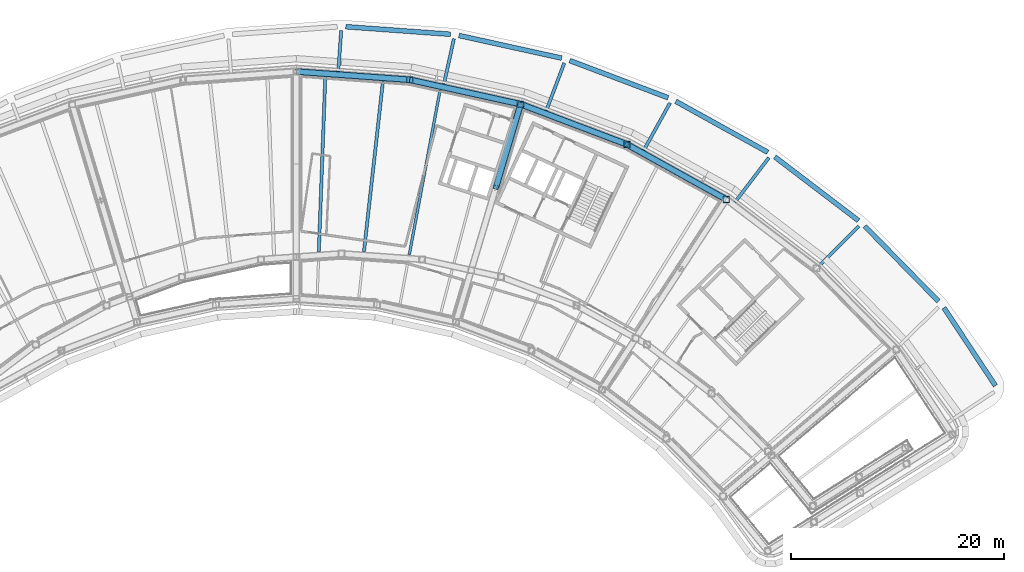
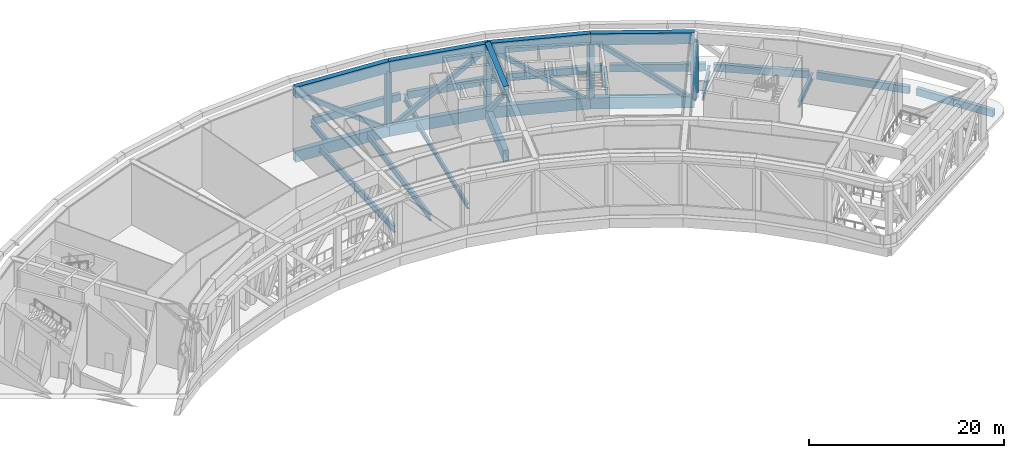
# One storey, part 5 of 24: 26 beams, 9 members.
"""IFC4 building model written with IfcOpenShell, lengths in metres."""

from ifc_helpers import new_model, si_unit, direction, frame, origin, origin_2d, place, context, subcontext, project, spatial, hollow_rectangle, i_section, extrude, material, material_profile, profile_set, type_object, element, save


model = new_model("IFC4")

# Units and contexts
model_context = context("Model", 3, precision=1e-05, world=origin(), true_north=direction((0.0, 1.0)))
body_context = subcontext(model_context, "Body", "Model", "MODEL_VIEW")
ifc_project = project(units=[si_unit("LENGTHUNIT", "METRE"), si_unit("AREAUNIT", "SQUARE_METRE"), si_unit("VOLUMEUNIT", "CUBIC_METRE"), si_unit("PLANEANGLEUNIT", "RADIAN"), si_unit("MASSUNIT", "GRAM", prefix="KILO")], contexts=[model_context])

# Site, building, storey
site_placement = place(None, origin())
site = spatial("IfcSite", under=ifc_project, at=site_placement, CompositionType="ELEMENT")
building_placement = place(site_placement, origin())
building = spatial("IfcBuilding", under=site, at=building_placement, Name="Tuul Gate Civic Tower", CompositionType="ELEMENT")
storey_placement = place(building_placement, frame((0.0, 0.0, 277.800048828125)))
storey = spatial("IfcBuildingStorey", under=building, at=storey_placement, Name="Wind floor 2", CompositionType="ELEMENT", Elevation=277.800048828125)

# Beams
ifc_material_1 = material(Name="Steel S355", Category="steel")
ifc_material_profile_1 = material_profile(ifc_material_1, i_section(OverallWidth=0.25, OverallDepth=0.64990234375, WebThickness=0.011962890625, FlangeThickness=0.02001953125, at=origin_2d()), Name="PG650x250x12x20")
ifc_profile_set_1 = profile_set([ifc_material_profile_1], Name="Steel S355")
beam_type_1 = type_object("IfcBeamType", Name="STR-FLOOR BEAM-PG650x250x12x20", PredefinedType="BEAM", material=ifc_profile_set_1)
beam_1_placement = place(storey_placement, frame((17.39599609375, -7.99169921875, -0.72509765625), z_axis=(0.183961541969, 0.982933441834, 0.0), x_axis=(-0.982933441834, 0.183961541969, 0.0)))
element("IfcBeam", 1, at=beam_1_placement, inside=storey, type_object=beam_type_1, Name="Floor beam", PredefinedType="BEAM", context=body_context, shape_type="SweptSolid", body=[
    extrude(i_section(OverallWidth=0.25, OverallDepth=0.64990234375, WebThickness=0.011962890625, FlangeThickness=0.02001953125, at=origin_2d()), origin(), (0.0, 0.0, 1.0), 15.733154296875),
])
ifc_material_2 = material(Name="Steel S355", Category="steel")
ifc_material_profile_2 = material_profile(ifc_material_2, i_section(OverallWidth=0.300048828125, OverallDepth=0.800048828125, WebThickness=0.013916015625, FlangeThickness=0.02490234375, at=origin_2d()), Name="PG800x300x14x25")
ifc_profile_set_2 = profile_set([ifc_material_profile_2], Name="Steel S355")
beam_type_2 = type_object("IfcBeamType", Name="STR-FLOOR BEAM-PG800x300x14x25", PredefinedType="BEAM", material=ifc_profile_set_2)
beam_2_placement = place(storey_placement, frame((13.140380859375, -7.683837890625, -0.800048828125), z_axis=(0.110783257316, 0.993844590416, 0.0), x_axis=(-0.993844590416, 0.110783257316, 0.0)))
element("IfcBeam", 2, at=beam_2_placement, inside=storey, type_object=beam_type_2, Name="Floor beam", PredefinedType="BEAM", context=body_context, shape_type="SweptSolid", body=[
    extrude(i_section(OverallWidth=0.300048828125, OverallDepth=0.800048828125, WebThickness=0.013916015625, FlangeThickness=0.02490234375, at=origin_2d()), origin(), (0.0, 0.0, 1.0), 16.07421875),
])
beam_3_placement = place(storey_placement, frame((8.897705078125, -7.685546875, -0.800048828125), z_axis=(0.036991264736, 0.999315588957, 0.0), x_axis=(-0.999315588957, 0.036991264736, 0.0)))
element("IfcBeam", 3, at=beam_3_placement, inside=storey, type_object=beam_type_2, Name="Floor beam", PredefinedType="BEAM", context=body_context, shape_type="SweptSolid", body=[
    extrude(i_section(OverallWidth=0.300048828125, OverallDepth=0.800048828125, WebThickness=0.013916015625, FlangeThickness=0.02490234375, at=origin_2d()), origin(), (0.0, 0.0, 1.0), 16.381103515625),
])
beam_4_placement = place(storey_placement, frame((59.645263671875, -5.2998046875, -0.800048828125), z_axis=(-0.707106781187, -0.707106781187, 0.0), x_axis=(0.707106781187, -0.707106781187, 0.0)))
element("IfcBeam", 4, at=beam_4_placement, inside=storey, type_object=beam_type_2, Name="Terrace beam", PredefinedType="BEAM", context=body_context, shape_type="SweptSolid", body=[
    extrude(i_section(OverallWidth=0.300048828125, OverallDepth=0.800048828125, WebThickness=0.013916015625, FlangeThickness=0.02490234375, at=origin_2d()), origin(), (0.0, 0.0, 1.0), 5.299072265625),
])
beam_5_placement = place(storey_placement, frame((51.190673828125, 1.1337890625, -0.800048828125), z_axis=(-0.605785168094, -0.795628261261, 0.0), x_axis=(0.795628261261, -0.605785168094, 0.0)))
element("IfcBeam", 5, at=beam_5_placement, inside=storey, type_object=beam_type_2, Name="Terrace beam", PredefinedType="BEAM", context=body_context, shape_type="SweptSolid", body=[
    extrude(i_section(OverallWidth=0.300048828125, OverallDepth=0.800048828125, WebThickness=0.013916015625, FlangeThickness=0.02490234375, at=origin_2d()), origin(), (0.0, 0.0, 1.0), 5.24560546875),
])
beam_6_placement = place(storey_placement, frame((41.901123046875, 6.278076171875, -0.800048828125), z_axis=(-0.484771474012, -0.874640850855, 0.0), x_axis=(0.874640850855, -0.484771474012, 0.0)))
element("IfcBeam", 6, at=beam_6_placement, inside=storey, type_object=beam_type_2, Name="Terrace beam", PredefinedType="BEAM", context=body_context, shape_type="SweptSolid", body=[
    extrude(i_section(OverallWidth=0.300048828125, OverallDepth=0.800048828125, WebThickness=0.013916015625, FlangeThickness=0.02490234375, at=origin_2d()), origin(), (0.0, 0.0, 1.0), 5.06787109375),
])
beam_7_placement = place(storey_placement, frame((31.966552734375, 10.03076171875, -0.800048828125), z_axis=(-0.353752923902, -0.935338905868, 0.0), x_axis=(0.935338905868, -0.353752923902, 0.0)))
element("IfcBeam", 7, at=beam_7_placement, inside=storey, type_object=beam_type_2, Name="Terrace beam", PredefinedType="BEAM", context=body_context, shape_type="SweptSolid", body=[
    extrude(i_section(OverallWidth=0.300048828125, OverallDepth=0.800048828125, WebThickness=0.013916015625, FlangeThickness=0.02490234375, at=origin_2d()), origin(), (0.0, 0.0, 1.0), 4.76953125),
])
beam_8_placement = place(storey_placement, frame((21.593994140625, 12.312255859375, -0.800048828125), z_axis=(-0.215250904877, -0.976558778543, 0.0), x_axis=(0.976558778543, -0.215250904877, 0.0)))
element("IfcBeam", 8, at=beam_8_placement, inside=storey, type_object=beam_type_2, Name="Terrace beam", PredefinedType="BEAM", context=body_context, shape_type="SweptSolid", body=[
    extrude(i_section(OverallWidth=0.300048828125, OverallDepth=0.800048828125, WebThickness=0.013916015625, FlangeThickness=0.02490234375, at=origin_2d()), origin(), (0.0, 0.0, 1.0), 4.3564453125),
])
beam_9_placement = place(storey_placement, frame((11.002197265625, 13.074951171875, -0.800048828125), z_axis=(-0.072332041743, -0.997380607259, 0.0), x_axis=(0.997380607259, -0.072332041743, 0.0)))
element("IfcBeam", 9, at=beam_9_placement, inside=storey, type_object=beam_type_2, Name="Terrace beam", PredefinedType="BEAM", context=body_context, shape_type="SweptSolid", body=[
    extrude(i_section(OverallWidth=0.300048828125, OverallDepth=0.800048828125, WebThickness=0.013916015625, FlangeThickness=0.02490234375, at=origin_2d()), origin(), (0.0, 0.0, 1.0), 3.837646484375),
])
ifc_material_3 = material(Name="Steel S355", Category="steel")
ifc_material_profile_3 = material_profile(ifc_material_3, hollow_rectangle(XDim=0.449951171875, YDim=0.89990234375, WallThickness=0.02490234375, at=origin_2d()), Name="BOX900x450x25")
ifc_profile_set_3 = profile_set([ifc_material_profile_3], Name="Steel S355")
beam_type_3 = type_object("IfcBeamType", Name="STR-SPANDREL BEAM-BOX900x450x25", PredefinedType="BEAM", material=ifc_profile_set_3)
beam_10_placement = place(storey_placement, frame((72.48388671875, -20.296630859375, -0.85009765625), z_axis=(-0.551329785873, 0.834287400845, 0.0), x_axis=(-0.834287400845, -0.551329785873, 0.0)))
element("IfcBeam", 10, at=beam_10_placement, inside=storey, type_object=beam_type_3, Name="Terrace edge beam", PredefinedType="BEAM", context=body_context, shape_type="SweptSolid", body=[
    extrude(hollow_rectangle(XDim=0.449951171875, YDim=0.89990234375, WallThickness=0.02490234375, at=origin_2d()), origin(), (0.0, 0.0, 1.0), 8.787841796875),
])
beam_11_placement = place(storey_placement, frame((67.123046875, -12.3564453125, -0.85009765625), z_axis=(-0.700052630296, 0.714091251042, 0.0), x_axis=(-0.714091251042, -0.700052630296, 0.0)))
element("IfcBeam", 11, at=beam_11_placement, inside=storey, type_object=beam_type_3, Name="Terrace edge beam", PredefinedType="BEAM", context=body_context, shape_type="SweptSolid", body=[
    extrude(hollow_rectangle(XDim=0.449951171875, YDim=0.89990234375, WallThickness=0.02490234375, at=origin_2d()), origin(), (0.0, 0.0, 1.0), 9.8779296875),
])
beam_12_placement = place(storey_placement, frame((59.60986328125, -4.774658203125, -0.85009765625), z_axis=(-0.795586019059, 0.605840644294, 0.0), x_axis=(-0.605840644294, -0.795586019059, 0.0)))
element("IfcBeam", 12, at=beam_12_placement, inside=storey, type_object=beam_type_3, Name="Terrace edge beam", PredefinedType="BEAM", context=body_context, shape_type="SweptSolid", body=[
    extrude(hollow_rectangle(XDim=0.449951171875, YDim=0.89990234375, WallThickness=0.02490234375, at=origin_2d()), origin(), (0.0, 0.0, 1.0), 9.877685546875),
])
beam_13_placement = place(storey_placement, frame((51.083251953125, 1.64599609375, -0.85009765625), z_axis=(-0.874631416408, 0.484788495565, 0.0), x_axis=(-0.484788495565, -0.874631416408, 0.0)))
element("IfcBeam", 13, at=beam_13_placement, inside=storey, type_object=beam_type_3, Name="Terrace edge beam", PredefinedType="BEAM", context=body_context, shape_type="SweptSolid", body=[
    extrude(hollow_rectangle(XDim=0.449951171875, YDim=0.89990234375, WallThickness=0.02490234375, at=origin_2d()), origin(), (0.0, 0.0, 1.0), 9.876708984375),
])
beam_14_placement = place(storey_placement, frame((41.720947265625, 6.76953125, -0.85009765625), z_axis=(-0.935348375613, 0.353727884451, 0.0), x_axis=(-0.353727884451, -0.935348375613, 0.0)))
element("IfcBeam", 14, at=beam_14_placement, inside=storey, type_object=beam_type_3, Name="Terrace edge beam", PredefinedType="BEAM", context=body_context, shape_type="SweptSolid", body=[
    extrude(hollow_rectangle(XDim=0.449951171875, YDim=0.89990234375, WallThickness=0.02490234375, at=origin_2d()), origin(), (0.0, 0.0, 1.0), 9.87744140625),
])
beam_15_placement = place(storey_placement, frame((31.71728515625, 10.490966796875, -0.85009765625), z_axis=(-0.976565880984, 0.215218679716, 0.0), x_axis=(-0.215218679716, -0.976565880984, 0.0)))
element("IfcBeam", 15, at=beam_15_placement, inside=storey, type_object=beam_type_3, Name="Terrace edge beam", PredefinedType="BEAM", context=body_context, shape_type="SweptSolid", body=[
    extrude(hollow_rectangle(XDim=0.449951171875, YDim=0.89990234375, WallThickness=0.02490234375, at=origin_2d()), origin(), (0.0, 0.0, 1.0), 9.878173828125),
])
beam_16_placement = place(storey_placement, frame((21.281005859375, 12.73193359375, -0.85009765625), z_axis=(-0.997389983978, 0.072202630563, 0.0), x_axis=(-0.072202630563, -0.997389983978, 0.0)))
element("IfcBeam", 16, at=beam_16_placement, inside=storey, type_object=beam_type_3, Name="Terrace edge beam", PredefinedType="BEAM", context=body_context, shape_type="SweptSolid", body=[
    extrude(hollow_rectangle(XDim=0.449951171875, YDim=0.89990234375, WallThickness=0.02490234375, at=origin_2d()), origin(), (0.0, 0.0, 1.0), 9.876953125),
])
ifc_material_4 = material(Name="Steel S460", Category="steel")
ifc_material_profile_4 = material_profile(ifc_material_4, hollow_rectangle(XDim=0.60009765625, YDim=1.39990234375, WallThickness=0.031982421875, at=origin_2d()), Name="BOX1400x600x32")
ifc_profile_set_4 = profile_set([ifc_material_profile_4], Name="Steel S460")
beam_type_4 = type_object("IfcBeamType", Name="STR-TRANSFER TRUSS CHORD-BOX1400x600x32", PredefinedType="BEAM", material=ifc_profile_set_4)
for number, where, z_axis, x_axis, name in (
    (17, (27.864990234375, 6.162109375, -1.10009765625), (-0.285209987059, -0.958465055848, 0.0), (0.958465055848, -0.285209987059, 0.0), "Radial truss bottom chord"),
    (18, (27.864990234375, 6.162109375, 6.89990234375), (-0.285209987059, -0.958465055848, 0.0), (0.958465055848, -0.285209987059, 0.0), "Radial truss top chord"),
):
    element("IfcBeam", number, at=place(storey_placement, frame(where, z_axis=z_axis, x_axis=x_axis)), inside=storey, type_object=beam_type_4, Name=name, PredefinedType="BEAM", context=body_context, shape_type="SweptSolid", body=[
        extrude(hollow_rectangle(XDim=0.60009765625, YDim=1.39990234375, WallThickness=0.031982421875, at=origin_2d()), origin(), (0.0, 0.0, 1.0), 8.14306640625),
    ])
for number, where, z_axis, x_axis, name in (
    (19, (17.43798828125, 8.4599609375, -1.10009765625), (-0.997383171444, 0.072296675717, 0.0), (-0.072296675717, -0.997383171444, 0.0), "Belt truss bottom chord"),
    (20, (17.43798828125, 8.4599609375, 6.89990234375), (-0.997383171444, 0.072296675717, 0.0), (-0.072296675717, -0.997383171444, 0.0), "Belt truss top chord"),
):
    element("IfcBeam", number, at=place(storey_placement, frame(where, z_axis=z_axis, x_axis=x_axis)), inside=storey, type_object=beam_type_4, Name=name, PredefinedType="BEAM", context=body_context, shape_type="SweptSolid", body=[
        extrude(hollow_rectangle(XDim=0.60009765625, YDim=1.39990234375, WallThickness=0.031982421875, at=origin_2d()), origin(), (0.0, 0.0, 1.0), 10.677734375),
    ])
for number, where, z_axis, x_axis, name in (
    (21, (47.19091796875, -2.791015625, -1.10009765625), (-0.874643264425, 0.484767119342, 0.0), (-0.484767119342, -0.874643264425, 0.0), "Belt truss bottom chord"),
    (22, (47.19091796875, -2.791015625, 6.89990234375), (-0.874643264425, 0.484767119342, 0.0), (-0.484767119342, -0.874643264425, 0.0), "Belt truss top chord"),
):
    element("IfcBeam", number, at=place(storey_placement, frame(where, z_axis=z_axis, x_axis=x_axis)), inside=storey, type_object=beam_type_4, Name=name, PredefinedType="BEAM", context=body_context, shape_type="SweptSolid", body=[
        extrude(hollow_rectangle(XDim=0.60009765625, YDim=1.39990234375, WallThickness=0.031982421875, at=origin_2d()), origin(), (0.0, 0.0, 1.0), 10.67724609375),
    ])
for number, where, z_axis, x_axis, name in (
    (23, (37.85205078125, 2.385009765625, -1.10009765625), (-0.935341677357, 0.353745595873, 0.0), (-0.353745595873, -0.935341677357, 0.0), "Belt truss bottom chord"),
    (24, (37.85205078125, 2.385009765625, 6.89990234375), (-0.935341677357, 0.353745595873, 0.0), (-0.353745595873, -0.935341677357, 0.0), "Belt truss top chord"),
):
    element("IfcBeam", number, at=place(storey_placement, frame(where, z_axis=z_axis, x_axis=x_axis)), inside=storey, type_object=beam_type_4, Name=name, PredefinedType="BEAM", context=body_context, shape_type="SweptSolid", body=[
        extrude(hollow_rectangle(XDim=0.60009765625, YDim=1.39990234375, WallThickness=0.031982421875, at=origin_2d()), origin(), (0.0, 0.0, 1.0), 10.677490234375),
    ])
for number, where, z_axis, x_axis, name in (
    (25, (27.864990234375, 6.162109375, -1.10009765625), (-0.976567537007, 0.215211165288, 0.0), (-0.215211165288, -0.976567537007, 0.0), "Belt truss bottom chord"),
    (26, (27.864990234375, 6.162109375, 6.89990234375), (-0.976567537007, 0.215211165288, 0.0), (-0.215211165288, -0.976567537007, 0.0), "Belt truss top chord"),
):
    element("IfcBeam", number, at=place(storey_placement, frame(where, z_axis=z_axis, x_axis=x_axis)), inside=storey, type_object=beam_type_4, Name=name, PredefinedType="BEAM", context=body_context, shape_type="SweptSolid", body=[
        extrude(hollow_rectangle(XDim=0.60009765625, YDim=1.39990234375, WallThickness=0.031982421875, at=origin_2d()), origin(), (0.0, 0.0, 1.0), 10.67724609375),
    ])

# Members
ifc_material_5 = material(Name="Steel S355", Category="steel")
ifc_material_profile_5 = material_profile(ifc_material_5, hollow_rectangle(XDim=0.5, YDim=0.5, WallThickness=0.02001953125, at=origin_2d()), Name="BOX500x500x20")
ifc_profile_set_5 = profile_set([ifc_material_profile_5], Name="Steel S355")
member_type_1 = type_object("IfcMemberType", Name="STR-TRANSFER TRUSS DIAGONAL-BOX500x500x20", PredefinedType="BRACE", material=ifc_profile_set_5)
member_1_placement = place(storey_placement, frame((27.865966796875, 6.16552734375, -1.103515625), z_axis=(-0.203446642585, -0.6837183303, 0.700812891172), x_axis=(0.95846777398, -0.285200852457, 0.0)))
element("IfcMember", 27, at=member_1_placement, inside=storey, type_object=member_type_1, Name="Radial truss web", PredefinedType="BRACE", context=body_context, shape_type="SweptSolid", body=[
    extrude(hollow_rectangle(XDim=0.5, YDim=0.5, WallThickness=0.02001953125, at=origin_2d()), origin(), (0.0, 0.0, 1.0), 11.425537109375),
])
member_2_placement = place(storey_placement, frame((17.44189453125, 8.459716796875, -1.10302734375), z_axis=(-0.798214479717, 0.057852493731, 0.599588803548), x_axis=(-0.072287765385, -0.997383817282, 0.0)))
element("IfcMember", 28, at=member_2_placement, inside=storey, type_object=member_type_1, Name="Belt truss web", PredefinedType="BRACE", context=body_context, shape_type="SweptSolid", body=[
    extrude(hollow_rectangle(XDim=0.5, YDim=0.5, WallThickness=0.02001953125, at=origin_2d()), origin(), (0.0, 0.0, 1.0), 13.352294921875),
])
member_3_placement = place(storey_placement, frame((47.194580078125, -2.79296875, -1.10302734375), z_axis=(-0.699982677336, 0.387950798418, 0.599598556899), x_axis=(-0.484756153963, -0.874649341848, 0.0)))
element("IfcMember", 29, at=member_3_placement, inside=storey, type_object=member_type_1, Name="Belt truss web", PredefinedType="BRACE", context=body_context, shape_type="SweptSolid", body=[
    extrude(hollow_rectangle(XDim=0.5, YDim=0.5, WallThickness=0.02001953125, at=origin_2d()), origin(), (0.0, 0.0, 1.0), 13.35205078125),
])
for number, where, z_axis, x_axis, name in (
    (30, (37.855712890625, 2.383544921875, -1.10302734375), (-0.74854690548, 0.283093611907, 0.59961282274), (-0.353738679992, -0.935344292909, 0.0), "Belt truss web"),
    (31, (17.43408203125, 8.4609375, -1.10302734375), (0.781533762371, -0.172247912813, 0.599612904136), (0.215231822232, 0.976562984502, 0.0), "Belt truss web"),
):
    element("IfcMember", number, at=place(storey_placement, frame(where, z_axis=z_axis, x_axis=x_axis)), inside=storey, type_object=member_type_1, Name=name, PredefinedType="BRACE", context=body_context, shape_type="SweptSolid", body=[
        extrude(hollow_rectangle(XDim=0.5, YDim=0.5, WallThickness=0.02001953125, at=origin_2d()), origin(), (0.0, 0.0, 1.0), 13.351806640625),
    ])
ifc_material_6 = material(Name="Steel S355", Category="steel")
ifc_material_profile_6 = material_profile(ifc_material_6, hollow_rectangle(XDim=0.60009765625, YDim=0.60009765625, WallThickness=0.028076171875, at=origin_2d()), Name="BOX600x600x28")
ifc_profile_set_6 = profile_set([ifc_material_profile_6], Name="Steel S355")
member_type_2 = type_object("IfcMemberType", Name="STR-TRUSS POST-BOX600x600x28", PredefinedType="POST", material=ifc_profile_set_6)
for number, where, z_axis, x_axis, name in (
    (32, (27.864990234375, 6.162109375, -0.64501953125), (0.0, 0.0, 1.0), (1.0, 0.0, 0.0), "Radial truss post"),
    (33, (47.19091796875, -2.791015625, -0.64501953125), (0.0, 0.0, 1.0), (1.0, 0.0, 0.0), "Radial truss post"),
    (34, (17.43798828125, 8.4599609375, -0.64501953125), (0.0, 0.0, 1.0), (1.0, 0.0, 0.0), "Belt truss post"),
    (35, (37.85205078125, 2.385009765625, -0.64501953125), (0.0, 0.0, 1.0), (1.0, 0.0, 0.0), "Belt truss post"),
):
    element("IfcMember", number, at=place(storey_placement, frame(where, z_axis=z_axis, x_axis=x_axis)), inside=storey, type_object=member_type_2, Name=name, PredefinedType="POST", context=body_context, shape_type="SweptSolid", body=[
        extrude(hollow_rectangle(XDim=0.60009765625, YDim=0.60009765625, WallThickness=0.028076171875, at=origin_2d()), origin(), (0.0, 0.0, 1.0), 7.090087890625),
    ])

save(model, "model.ifc")
